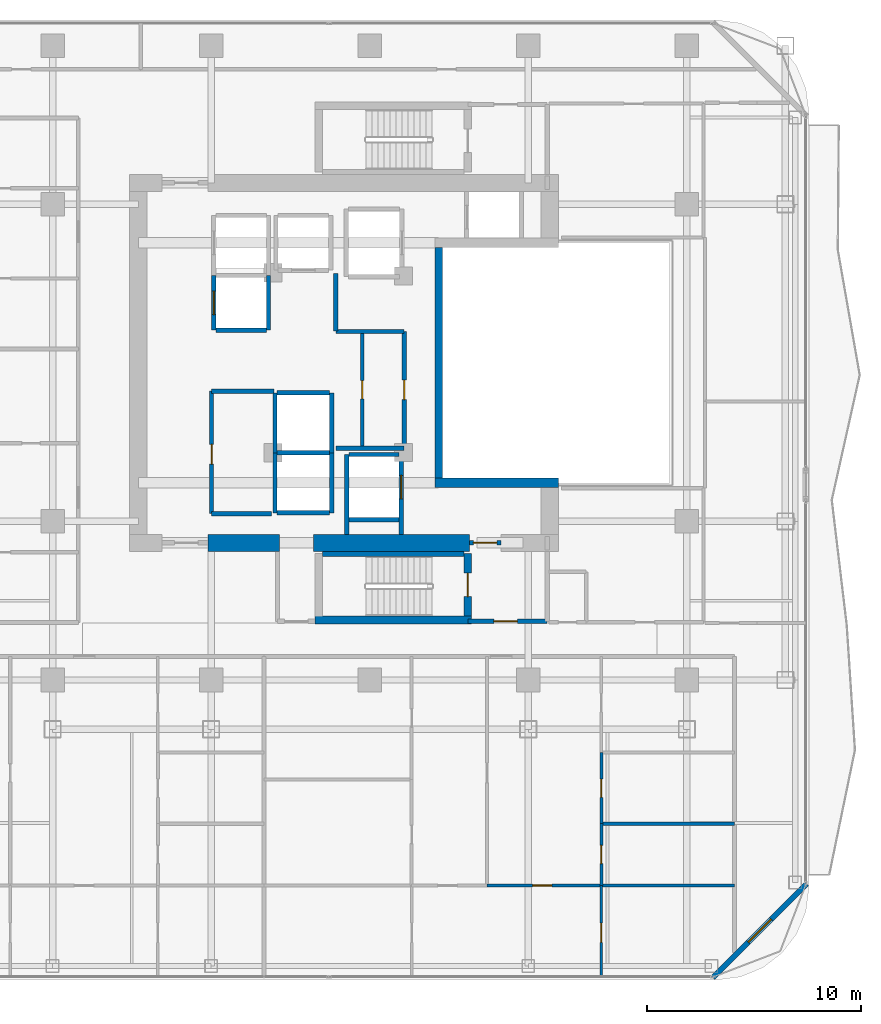
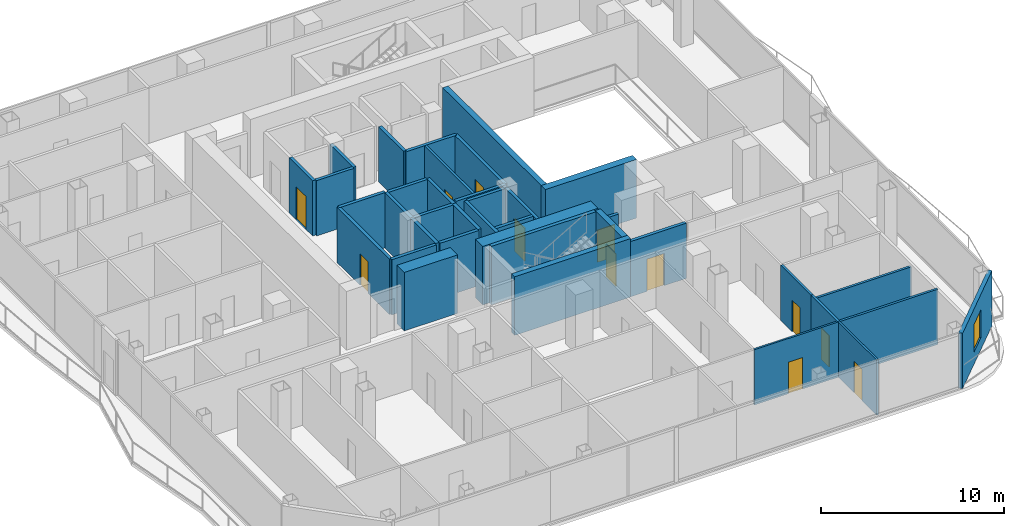
# One storey, part 18 of 23: 38 walls, 12 doors, 1 window, 13 openings.
"""IFC4 building model written with IfcOpenShell, lengths in metres."""

from ifc_helpers import new_model, si_unit, direction, frame, frame_2d, origin, place, context, subcontext, project, spatial, rectangle, extrude, material, layer, layer_set, type_object, element, fill, save


model = new_model("IFC4")

# Units and contexts
model_context = context("Model", 3, precision=1e-05, world=origin(), true_north=direction((0.0, 1.0)))
body_context = subcontext(model_context, "Body", "Model", "MODEL_VIEW")
ifc_project = project(units=[si_unit("LENGTHUNIT", "METRE"), si_unit("AREAUNIT", "SQUARE_METRE"), si_unit("VOLUMEUNIT", "CUBIC_METRE"), si_unit("PLANEANGLEUNIT", "RADIAN"), si_unit("MASSUNIT", "GRAM", prefix="KILO")], contexts=[model_context])

# Site, building, storey
site_placement = place(None, origin())
site = spatial("IfcSite", under=ifc_project, at=site_placement, CompositionType="ELEMENT")
building_placement = place(site_placement, origin())
building = spatial("IfcBuilding", under=site, at=building_placement, Name="Khorvyn Point Tower", CompositionType="ELEMENT")
storey_placement = place(building_placement, frame((0.0, 0.0, 199.199951171875)))
storey = spatial("IfcBuildingStorey", under=building, at=storey_placement, Name="L49", CompositionType="ELEMENT", Elevation=199.199951171875)

# Wall, opening, window
ifc_material_1 = material(Name="Pale anodised aluminium rainscreen on steel stud", Category="steel")
ifc_layer_1 = layer(ifc_material_1, 0.239990234375)
ifc_layer_set_1 = layer_set([ifc_layer_1], Name="Anodised Aluminium Insulated Corner Spandrel Wall 240")
wall_type_1 = type_object("IfcWallType", Name="Anodised Aluminium Insulated Corner Spandrel Wall 240", PredefinedType="SOLIDWALL", material=ifc_layer_set_1)
wall_1_placement = place(storey_placement, frame((20.392333984375, -24.3076171875, 0.0), z_axis=(0.0, 0.0, 1.0), x_axis=(-0.707106781187, -0.707106781187, 0.0)))
wall_1 = element("IfcWall", 1, at=wall_1_placement, inside=storey, type_object=wall_type_1, Name="L49 Rounded Corner Wall SE", PredefinedType="SOLIDWALL", context=body_context, shape_type="SweptSolid", body=[
    extrude(rectangle(XDim=6.200927734375, YDim=0.239990234375, at=frame_2d((3.1005859375, 0.0))), origin(), (0.0, 0.0, 1.0), 3.679931640625),
])
opening_1_placement = place(wall_1_placement, frame((2.3505859375, 0.0, 0.800048828125)))
opening_1 = element("IfcOpeningElement", 2, at=opening_1_placement, cuts=wall_1, Name="Opening WN-1518", PredefinedType="OPENING", context=body_context, shape_type="SweptSolid", body=[
    extrude(rectangle(XDim=1.5, YDim=1.85009765625, at=frame_2d((0.75, 0.925048828125))), frame((0.0, 0.1298828125, 0.0), z_axis=(0.0, -1.0, 0.0), x_axis=(1.0, 0.0, 0.0)), (0.0, 0.0, 1.0), 0.260009765625),
])
ifc_material_2 = material(Name="Anodised aluminium 6063-T6 and laminated Low-E glass", Category="aluminium")
window_type = type_object("IfcWindowType", Name="Anodised Aluminium Rounded-Corner Panoramic Window 1500x1850", PartitioningType="SINGLE_PANEL", PredefinedType="WINDOW", material=ifc_material_2)
window_placement = place(opening_1_placement, origin())
window = element("IfcWindow", 3, at=window_placement, inside=storey, type_object=window_type, Name="L49 Corner Panoramic Window SE", OverallHeight=1.85009765625, OverallWidth=1.5, PartitioningType="SINGLE_PANEL", PredefinedType="WINDOW", context=body_context, shape_type="SweptSolid", body=[
    extrude(rectangle(XDim=1.5, YDim=1.85009765625, at=frame_2d((0.75, 0.925048828125))), frame((0.0, 0.030029296875, 0.0), z_axis=(0.0, -1.0, 0.0), x_axis=(1.0, 0.0, 0.0)), (0.0, 0.0, 1.0), 0.06005859375),
])
fill(opening_1, window)

# Wall
ifc_material_3 = material(Name="Concrete C40/50", Category="concrete")
ifc_layer_2 = layer(ifc_material_3, 0.449951171875)
ifc_layer_set_2 = layer_set([ifc_layer_2], Name="Concrete C40/50 Core Shear Wall 450")
wall_type_2 = type_object("IfcWallType", Name="Concrete C40/50 Core Shear Wall 450", PredefinedType="SHEAR", material=ifc_layer_set_2)
wall_2_placement = place(storey_placement, frame((3.044921875, -5.60009765625, 0.0), z_axis=(0.0, 0.0, 1.0), x_axis=(1.0, 0.0, 0.0)))
element("IfcWall", 4, at=wall_2_placement, inside=storey, type_object=wall_type_2, Name="Wall", PredefinedType="SHEAR", context=body_context, shape_type="SweptSolid", body=[
    extrude(rectangle(XDim=5.755126953125, YDim=0.449951171875, at=frame_2d((2.87744140625, 0.0))), origin(), (0.0, 0.0, 1.0), 3.900146484375),
])

# Wall, opening, door
ifc_layer_3 = layer(ifc_material_3, 0.199951171875)
ifc_layer_set_3 = layer_set([ifc_layer_3], Name="Concrete C40/50 Fire-Lobby Compartment Wall 200")
wall_type_3 = type_object("IfcWallType", Name="Concrete C40/50 Fire-Lobby Compartment Wall 200", PredefinedType="SOLIDWALL", material=ifc_layer_set_3)
wall_3_placement = place(storey_placement, frame((4.580078125, -12.06005859375, 0.0), z_axis=(0.0, 0.0, 1.0), x_axis=(1.0, 0.0, 0.0)))
wall_3 = element("IfcWall", 5, at=wall_3_placement, inside=storey, type_object=wall_type_3, Name="Wall", PredefinedType="SOLIDWALL", context=body_context, shape_type="SweptSolid", body=[
    extrude(rectangle(XDim=3.699951171875, YDim=0.199951171875, at=frame_2d((1.85009765625, 0.0))), origin(), (0.0, 0.0, 1.0), 3.679931640625),
])
opening_2_placement = place(wall_3_placement, frame((1.21240234375, 0.0, 0.0)))
opening_2 = element("IfcOpeningElement", 6, at=opening_2_placement, cuts=wall_3, Name="Opening ID-FL90", PredefinedType="OPENING", context=body_context, shape_type="SweptSolid", body=[
    extrude(rectangle(XDim=1.10009765625, YDim=2.14990234375, at=frame_2d((0.550048828125, 1.074951171875))), frame((0.0, 0.10986328125, 0.0), z_axis=(0.0, -1.0, 0.0), x_axis=(1.0, 0.0, 0.0)), (0.0, 0.0, 1.0), 0.219970703125),
])
ifc_material_4 = material(Name="Galvanised powder-coated steel", Category="steel")
door_type_1 = type_object("IfcDoorType", Name="Fire-Rated Steel Lobby and Stair Door 1100x2150", OperationType="NOTDEFINED", PredefinedType="DOOR", material=ifc_material_4)
door_1_placement = place(opening_2_placement, origin())
door_1 = element("IfcDoor", 7, at=door_1_placement, inside=storey, type_object=door_type_1, Name="Door", OperationType="SINGLE_SWING_LEFT", OverallHeight=2.14990234375, OverallWidth=1.10009765625, PredefinedType="DOOR", context=body_context, shape_type="SweptSolid", body=[
    extrude(rectangle(XDim=1.10009765625, YDim=2.14990234375, at=frame_2d((0.550048828125, 1.074951171875))), frame((0.0, 0.02490234375, 0.0), z_axis=(0.0, -1.0, 0.0), x_axis=(1.0, 0.0, 0.0)), (0.0, 0.0, 1.0), 0.050048828125),
])
fill(opening_2, door_1)

wall_4_placement = place(storey_placement, frame((4.64990234375, -8.39990234375, 0.0), z_axis=(0.0, 0.0, 1.0), x_axis=(1.0, 0.0, 0.0)))
wall_4 = element("IfcWall", 8, at=wall_4_placement, inside=storey, type_object=wall_type_3, Name="Wall", PredefinedType="SOLIDWALL", context=body_context, shape_type="SweptSolid", body=[
    extrude(rectangle(XDim=1.47021484375, YDim=0.199951171875, at=frame_2d((0.735107421875, 0.0))), origin(), (0.0, 0.0, 1.0), 2.820068359375),
])
opening_3_placement = place(wall_4_placement, frame((0.18505859375, 0.0, 0.0)))
opening_3 = element("IfcOpeningElement", 9, at=opening_3_placement, cuts=wall_4, Name="Opening ID-FL90", PredefinedType="OPENING", context=body_context, shape_type="SweptSolid", body=[
    extrude(rectangle(XDim=1.10009765625, YDim=2.14990234375, at=frame_2d((0.550048828125, 1.074951171875))), frame((0.0, 0.10986328125, 0.0), z_axis=(0.0, -1.0, 0.0), x_axis=(1.0, 0.0, 0.0)), (0.0, 0.0, 1.0), 0.219970703125),
])
door_2_placement = place(opening_3_placement, origin())
door_2 = element("IfcDoor", 10, at=door_2_placement, inside=storey, type_object=door_type_1, Name="Door", OperationType="SINGLE_SWING_RIGHT", OverallHeight=2.14990234375, OverallWidth=1.10009765625, PredefinedType="DOOR", context=body_context, shape_type="SweptSolid", body=[
    extrude(rectangle(XDim=1.10009765625, YDim=2.14990234375, at=frame_2d((0.550048828125, 1.074951171875))), frame((0.0, 0.02490234375, 0.0), z_axis=(0.0, -1.0, 0.0), x_axis=(1.0, 0.0, 0.0)), (0.0, 0.0, 1.0), 0.050048828125),
])
fill(opening_3, door_2)

wall_5_placement = place(storey_placement, frame((1.610107421875, -3.97998046875, 0.0), z_axis=(0.0, 0.0, 1.0), x_axis=(0.0, 1.0, 0.0)))
wall_5 = element("IfcWall", 11, at=wall_5_placement, inside=storey, type_object=wall_type_3, Name="Wall", PredefinedType="SOLIDWALL", context=body_context, shape_type="SweptSolid", body=[
    extrude(rectangle(XDim=5.43994140625, YDim=0.199951171875, at=frame_2d((2.719970703125, 0.0))), origin(), (0.0, 0.0, 1.0), 3.679931640625),
])
opening_4_placement = place(wall_5_placement, frame((2.260009765625, 0.0, 0.0)))
opening_4 = element("IfcOpeningElement", 12, at=opening_4_placement, cuts=wall_5, Name="Opening ID-RS60", PredefinedType="OPENING", context=body_context, shape_type="SweptSolid", body=[
    extrude(rectangle(XDim=0.919921875, YDim=2.10009765625, at=frame_2d((0.4599609375, 1.050048828125))), frame((0.0, 0.10986328125, 0.0), z_axis=(0.0, -1.0, 0.0), x_axis=(1.0, 0.0, 0.0)), (0.0, 0.0, 1.0), 0.219970703125),
])
door_type_2 = type_object("IfcDoorType", Name="Fire-Rated Riser and Store Steel Door 920x2100", OperationType="NOTDEFINED", PredefinedType="DOOR", material=ifc_material_4)
door_3_placement = place(opening_4_placement, origin())
door_3 = element("IfcDoor", 13, at=door_3_placement, inside=storey, type_object=door_type_2, Name="Door", OperationType="SINGLE_SWING_RIGHT", OverallHeight=2.10009765625, OverallWidth=0.919921875, PredefinedType="DOOR", context=body_context, shape_type="SweptSolid", body=[
    extrude(rectangle(XDim=0.919921875, YDim=2.10009765625, at=frame_2d((0.4599609375, 1.050048828125))), frame((0.0, 0.02490234375, 0.0), z_axis=(0.0, -1.0, 0.0), x_axis=(1.0, 0.0, 0.0)), (0.0, 0.0, 1.0), 0.050048828125),
])
fill(opening_4, door_3)

wall_6_placement = place(storey_placement, frame((-7.3798828125, -7.0400390625, 0.0), z_axis=(0.0, 0.0, 1.0), x_axis=(0.0, 1.0, 0.0)))
wall_6 = element("IfcWall", 14, at=wall_6_placement, inside=storey, type_object=wall_type_3, Name="Wall", PredefinedType="SOLIDWALL", context=body_context, shape_type="SweptSolid", body=[
    extrude(rectangle(XDim=5.719970703125, YDim=0.199951171875, at=frame_2d((2.85986328125, 0.0))), origin(), (0.0, 0.0, 1.0), 3.679931640625),
])
opening_5_placement = place(wall_6_placement, frame((2.310302734375, 0.0, 0.0)))
opening_5 = element("IfcOpeningElement", 15, at=opening_5_placement, cuts=wall_6, Name="Opening ID-RS60", PredefinedType="OPENING", context=body_context, shape_type="SweptSolid", body=[
    extrude(rectangle(XDim=0.919921875, YDim=2.10009765625, at=frame_2d((0.4599609375, 1.050048828125))), frame((0.0, 0.10986328125, 0.0), z_axis=(0.0, -1.0, 0.0), x_axis=(1.0, 0.0, 0.0)), (0.0, 0.0, 1.0), 0.219970703125),
])
door_4_placement = place(opening_5_placement, origin())
door_4 = element("IfcDoor", 16, at=door_4_placement, inside=storey, type_object=door_type_2, Name="Door", OperationType="SINGLE_SWING_LEFT", OverallHeight=2.10009765625, OverallWidth=0.919921875, PredefinedType="DOOR", context=body_context, shape_type="SweptSolid", body=[
    extrude(rectangle(XDim=0.919921875, YDim=2.10009765625, at=frame_2d((0.4599609375, 1.050048828125))), frame((0.0, 0.02490234375, 0.0), z_axis=(0.0, -1.0, 0.0), x_axis=(1.0, 0.0, 0.0)), (0.0, 0.0, 1.0), 0.050048828125),
])
fill(opening_5, door_4)

# Walls
wall_7_placement = place(storey_placement, frame((-7.3798828125, -1.320068359375, 0.0), z_axis=(0.0, 0.0, 1.0), x_axis=(1.0, 0.0, 0.0)))
element("IfcWall", 17, at=wall_7_placement, inside=storey, type_object=wall_type_3, Name="Wall", PredefinedType="SOLIDWALL", context=body_context, shape_type="SweptSolid", body=[
    extrude(rectangle(XDim=2.909912109375, YDim=0.199951171875, at=frame_2d((1.455078125, 0.0))), origin(), (0.0, 0.0, 1.0), 3.679931640625),
])
wall_8_placement = place(storey_placement, frame((-1.580078125, 1.47998046875, 0.0), z_axis=(0.0, 0.0, 1.0), x_axis=(0.0, 1.0, 0.0)))
element("IfcWall", 18, at=wall_8_placement, inside=storey, type_object=wall_type_3, Name="Wall", PredefinedType="SOLIDWALL", context=body_context, shape_type="SweptSolid", body=[
    extrude(rectangle(XDim=2.699951171875, YDim=0.199951171875, at=frame_2d((1.35009765625, 0.0))), origin(), (0.0, 0.0, 1.0), 3.679931640625),
])
for number, where, z_axis, x_axis, name in (
    (19, (-1.580078125, -3.97998046875, 0.0), (0.0, 0.0, 1.0), (1.0, 0.0, 0.0), "Wall"),
    (20, (-1.580078125, 1.4599609375, 0.0), (0.0, 0.0, 1.0), (1.0, 0.0, 0.0), "Wall"),
):
    element("IfcWall", number, at=place(storey_placement, frame(where, z_axis=z_axis, x_axis=x_axis)), inside=storey, type_object=wall_type_3, Name=name, PredefinedType="SOLIDWALL", context=body_context, shape_type="SweptSolid", body=[
        extrude(rectangle(XDim=3.190185546875, YDim=0.199951171875, at=frame_2d((1.59521484375, 0.0))), origin(), (0.0, 0.0, 1.0), 3.679931640625),
    ])
wall_9_placement = place(storey_placement, frame((-7.3798828125, -7.0400390625, 0.0), z_axis=(0.0, 0.0, 1.0), x_axis=(1.0, 0.0, 0.0)))
element("IfcWall", 21, at=wall_9_placement, inside=storey, type_object=wall_type_3, Name="Wall", PredefinedType="SOLIDWALL", context=body_context, shape_type="SweptSolid", body=[
    extrude(rectangle(XDim=2.7998046875, YDim=0.199951171875, at=frame_2d((1.39990234375, 0.0))), origin(), (0.0, 0.0, 1.0), 3.679931640625),
])
ifc_layer_4 = layer(ifc_material_3, 0.25)
ifc_layer_set_4 = layer_set([ifc_layer_4], Name="Concrete C40/50 Stair Inner Cheek Structural Wall 250")
wall_type_4 = type_object("IfcWallType", Name="Concrete C40/50 Stair Inner Cheek Structural Wall 250", PredefinedType="SHEAR", material=ifc_layer_set_4)
wall_10_placement = place(storey_placement, frame((-2.199951171875, -8.91259765625, 0.0), z_axis=(0.0, 0.0, 1.0), x_axis=(1.0, 0.0, 0.0)))
element("IfcWall", 22, at=wall_10_placement, inside=storey, type_object=wall_type_4, Name="Wall", PredefinedType="SHEAR", context=body_context, shape_type="SweptSolid", body=[
    extrude(rectangle(XDim=6.599853515625, YDim=0.22509765625, at=frame_2d((3.2998046875, 0.0))), origin(), (0.0, 0.0, 1.0), 3.900146484375),
])
ifc_layer_5 = layer(ifc_material_3, 0.35009765625)
ifc_layer_set_5 = layer_set([ifc_layer_5], Name="Concrete C40/50 Stair Shaft Structural Wall 350")
wall_type_5 = type_object("IfcWallType", Name="Concrete C40/50 Stair Shaft Structural Wall 350", PredefinedType="SHEAR", material=ifc_layer_set_5)
wall_11_placement = place(storey_placement, frame((3.219970703125, -5.375, 0.0), z_axis=(0.0, 0.0, 1.0), x_axis=(0.0, 1.0, 0.0)))
element("IfcWall", 23, at=wall_11_placement, inside=storey, type_object=wall_type_5, Name="Wall", PredefinedType="SHEAR", context=body_context, shape_type="SweptSolid", body=[
    extrude(rectangle(XDim=10.75, YDim=0.35009765625, at=frame_2d((5.375, 0.0))), origin(), (0.0, 0.0, 1.0), 3.900146484375),
])
wall_12_placement = place(storey_placement, frame((-2.554931640625, -12.0, 0.0), z_axis=(0.0, 0.0, 1.0), x_axis=(1.0, 0.0, 0.0)))
element("IfcWall", 24, at=wall_12_placement, inside=storey, type_object=wall_type_5, Name="L49 ST-01 South Shaft Wall", PredefinedType="SHEAR", context=body_context, shape_type="SweptSolid", body=[
    extrude(rectangle(XDim=7.309814453125, YDim=0.35009765625, at=frame_2d((3.65478515625, 0.0))), origin(), (0.0, 0.0, 1.0), 3.900146484375),
])

# Wall, opening, door
wall_13_placement = place(storey_placement, frame((4.580078125, -8.89990234375, 0.0), z_axis=(0.0, 0.0, 1.0), x_axis=(0.0, -1.0, 0.0)))
wall_13 = element("IfcWall", 25, at=wall_13_placement, inside=storey, type_object=wall_type_5, Name="L49 ST-01 East Landing Door Wall", PredefinedType="SHEAR", context=body_context, shape_type="SweptSolid", body=[
    extrude(rectangle(XDim=2.925048828125, YDim=0.35009765625, at=frame_2d((1.46240234375, 0.0))), origin(), (0.0, 0.0, 1.0), 3.900146484375),
])
opening_6_placement = place(wall_13_placement, frame((0.91259765625, 0.0, 0.0)))
opening_6 = element("IfcOpeningElement", 26, at=opening_6_placement, cuts=wall_13, Name="Opening ID-FL90", PredefinedType="OPENING", context=body_context, shape_type="SweptSolid", body=[
    extrude(rectangle(XDim=1.10009765625, YDim=2.14990234375, at=frame_2d((0.550048828125, 1.074951171875))), frame((0.0, 0.18505859375, 0.0), z_axis=(0.0, -1.0, 0.0), x_axis=(1.0, 0.0, 0.0)), (0.0, 0.0, 1.0), 0.3701171875),
])
door_5_placement = place(opening_6_placement, origin())
door_5 = element("IfcDoor", 27, at=door_5_placement, inside=storey, type_object=door_type_1, Name="L49 ST-01 Smokeproof Landing Door", OperationType="SINGLE_SWING_LEFT", OverallHeight=2.14990234375, OverallWidth=1.10009765625, PredefinedType="DOOR", context=body_context, shape_type="SweptSolid", body=[
    extrude(rectangle(XDim=1.10009765625, YDim=2.14990234375, at=frame_2d((0.550048828125, 1.074951171875))), frame((0.0, 0.02490234375, 0.0), z_axis=(0.0, -1.0, 0.0), x_axis=(1.0, 0.0, 0.0)), (0.0, 0.0, 1.0), 0.050048828125),
])
fill(opening_6, door_5)

ifc_layer_6 = layer(ifc_material_3, 0.199951171875)
ifc_layer_set_6 = layer_set([ifc_layer_6], Name="Concrete C40/50 Structural Hoistway and Stair Shaft Wall 200")
wall_type_6 = type_object("IfcWallType", Name="Concrete C40/50 Structural Hoistway and Stair Shaft Wall 200", PredefinedType="SHEAR", material=ifc_layer_set_6)
wall_14_placement = place(storey_placement, frame((-7.27490234375, 1.52490234375, 0.0), z_axis=(0.0, 0.0, 1.0), x_axis=(0.0, 1.0, 0.0)))
wall_14 = element("IfcWall", 28, at=wall_14_placement, inside=storey, type_object=wall_type_6, Name="Wall", PredefinedType="SHEAR", context=body_context, shape_type="SweptSolid", body=[
    extrude(rectangle(XDim=2.550048828125, YDim=0.199951171875, at=frame_2d((1.27490234375, 0.0))), origin(), (0.0, 0.0, 1.0), 3.679931640625),
])
opening_7_placement = place(wall_14_placement, frame((0.72509765625, 0.0, 0.0)))
opening_7 = element("IfcOpeningElement", 29, at=opening_7_placement, cuts=wall_14, Name="Opening LD-1122", PredefinedType="OPENING", context=body_context, shape_type="SweptSolid", body=[
    extrude(rectangle(XDim=1.10009765625, YDim=2.199951171875, at=frame_2d((0.550048828125, 1.10009765625))), frame((0.0, 0.10986328125, 0.0), z_axis=(0.0, -1.0, 0.0), x_axis=(1.0, 0.0, 0.0)), (0.0, 0.0, 1.0), 0.219970703125),
])
ifc_material_5 = material(Name="Stainless steel 1.4301", Category="steel")
door_type_3 = type_object("IfcDoorType", Name="Stainless Steel Automatic Sliding Lift Landing Door 1100x2200", OperationType="SLIDING_TO_LEFT", PredefinedType="DOOR", material=ifc_material_5)
door_6_placement = place(opening_7_placement, origin())
door_6 = element("IfcDoor", 30, at=door_6_placement, inside=storey, type_object=door_type_3, Name="L49 RM-01 Sliding Lift Landing Door", OperationType="SLIDING_TO_LEFT", OverallHeight=2.199951171875, OverallWidth=1.10009765625, PredefinedType="DOOR", context=body_context, shape_type="SweptSolid", body=[
    extrude(rectangle(XDim=1.10009765625, YDim=2.199951171875, at=frame_2d((0.550048828125, 1.10009765625))), frame((0.0, 0.02490234375, 0.0), z_axis=(0.0, -1.0, 0.0), x_axis=(1.0, 0.0, 0.0)), (0.0, 0.0, 1.0), 0.050048828125),
])
fill(opening_7, door_6)

# Walls
wall_15_placement = place(storey_placement, frame((-4.72509765625, 1.52490234375, 0.0), z_axis=(0.0, 0.0, 1.0), x_axis=(0.0, 1.0, 0.0)))
element("IfcWall", 31, at=wall_15_placement, inside=storey, type_object=wall_type_6, Name="Wall", PredefinedType="SHEAR", context=body_context, shape_type="SweptSolid", body=[
    extrude(rectangle(XDim=2.550048828125, YDim=0.199951171875, at=frame_2d((1.27490234375, 0.0))), origin(), (0.0, 0.0, 1.0), 3.679931640625),
])
wall_16_placement = place(storey_placement, frame((-7.175048828125, 1.52490234375, 0.0), z_axis=(0.0, 0.0, 1.0), x_axis=(1.0, 0.0, 0.0)))
element("IfcWall", 32, at=wall_16_placement, inside=storey, type_object=wall_type_6, Name="Wall", PredefinedType="SHEAR", context=body_context, shape_type="SweptSolid", body=[
    extrude(rectangle(XDim=2.35009765625, YDim=0.199951171875, at=frame_2d((1.175048828125, 0.0))), origin(), (0.0, 0.0, 1.0), 3.679931640625),
])
for number, where, z_axis, x_axis, name in (
    (33, (-4.425048828125, -7.0, 0.0), (0.0, 0.0, 1.0), (0.0, 1.0, 0.0), "Wall"),
    (34, (-1.77490234375, -7.0, 0.0), (0.0, 0.0, 1.0), (0.0, 1.0, 0.0), "Wall"),
):
    element("IfcWall", number, at=place(storey_placement, frame(where, z_axis=z_axis, x_axis=x_axis)), inside=storey, type_object=wall_type_6, Name=name, PredefinedType="SHEAR", context=body_context, shape_type="SweptSolid", body=[
        extrude(rectangle(XDim=2.800048828125, YDim=0.199951171875, at=frame_2d((1.39990234375, 0.0))), origin(), (0.0, 0.0, 1.0), 3.679931640625),
    ])
for number, where, z_axis, x_axis, name in (
    (35, (-4.324951171875, -7.0, 0.0), (0.0, 0.0, 1.0), (1.0, 0.0, 0.0), "Wall"),
    (36, (-4.324951171875, -4.199951171875, 0.0), (0.0, 0.0, 1.0), (1.0, 0.0, 0.0), "Wall"),
):
    element("IfcWall", number, at=place(storey_placement, frame(where, z_axis=z_axis, x_axis=x_axis)), inside=storey, type_object=wall_type_6, Name=name, PredefinedType="SHEAR", context=body_context, shape_type="SweptSolid", body=[
        extrude(rectangle(XDim=2.449951171875, YDim=0.199951171875, at=frame_2d((1.22509765625, 0.0))), origin(), (0.0, 0.0, 1.0), 3.679931640625),
    ])
for number, where, z_axis, x_axis, name in (
    (37, (-4.425048828125, -4.199951171875, 0.0), (0.0, 0.0, 1.0), (0.0, 1.0, 0.0), "Wall"),
    (38, (-1.77490234375, -4.199951171875, 0.0), (0.0, 0.0, 1.0), (0.0, 1.0, 0.0), "Wall"),
):
    element("IfcWall", number, at=place(storey_placement, frame(where, z_axis=z_axis, x_axis=x_axis)), inside=storey, type_object=wall_type_6, Name=name, PredefinedType="SHEAR", context=body_context, shape_type="SweptSolid", body=[
        extrude(rectangle(XDim=2.800048828125, YDim=0.199951171875, at=frame_2d((1.39990234375, 0.0))), origin(), (0.0, 0.0, 1.0), 3.679931640625),
    ])
wall_17_placement = place(storey_placement, frame((-4.324951171875, -1.39990234375, 0.0), z_axis=(0.0, 0.0, 1.0), x_axis=(1.0, 0.0, 0.0)))
element("IfcWall", 39, at=wall_17_placement, inside=storey, type_object=wall_type_6, Name="Wall", PredefinedType="SHEAR", context=body_context, shape_type="SweptSolid", body=[
    extrude(rectangle(XDim=2.449951171875, YDim=0.199951171875, at=frame_2d((1.22509765625, 0.0))), origin(), (0.0, 0.0, 1.0), 3.679931640625),
])
wall_18_placement = place(storey_placement, frame((-1.074951171875, -8.0, 0.0), z_axis=(0.0, 0.0, 1.0), x_axis=(0.0, 1.0, 0.0)))
element("IfcWall", 40, at=wall_18_placement, inside=storey, type_object=wall_type_6, Name="Wall", PredefinedType="SHEAR", context=body_context, shape_type="SweptSolid", body=[
    extrude(rectangle(XDim=3.72509765625, YDim=0.199951171875, at=frame_2d((1.862548828125, 0.0))), origin(), (0.0, 0.0, 1.0), 3.679931640625),
])

# Wall, opening, door
wall_19_placement = place(storey_placement, frame((1.47509765625, -8.0, 0.0), z_axis=(0.0, 0.0, 1.0), x_axis=(0.0, 1.0, 0.0)))
wall_19 = element("IfcWall", 41, at=wall_19_placement, inside=storey, type_object=wall_type_6, Name="Wall", PredefinedType="SHEAR", context=body_context, shape_type="SweptSolid", body=[
    extrude(rectangle(XDim=3.72509765625, YDim=0.199951171875, at=frame_2d((1.862548828125, 0.0))), origin(), (0.0, 0.0, 1.0), 3.679931640625),
])
opening_8_placement = place(wall_19_placement, frame((1.64990234375, 0.0, 0.0)))
opening_8 = element("IfcOpeningElement", 42, at=opening_8_placement, cuts=wall_19, Name="Opening LD-1122", PredefinedType="OPENING", context=body_context, shape_type="SweptSolid", body=[
    extrude(rectangle(XDim=1.10009765625, YDim=2.199951171875, at=frame_2d((0.550048828125, 1.10009765625))), frame((0.0, 0.10986328125, 0.0), z_axis=(0.0, -1.0, 0.0), x_axis=(1.0, 0.0, 0.0)), (0.0, 0.0, 1.0), 0.219970703125),
])
door_7_placement = place(opening_8_placement, origin())
door_7 = element("IfcDoor", 43, at=door_7_placement, inside=storey, type_object=door_type_3, Name="L49 FF-01 Sliding Lift Landing Door", OperationType="SLIDING_TO_LEFT", OverallHeight=2.199951171875, OverallWidth=1.10009765625, PredefinedType="DOOR", context=body_context, shape_type="SweptSolid", body=[
    extrude(rectangle(XDim=1.10009765625, YDim=2.199951171875, at=frame_2d((0.550048828125, 1.10009765625))), frame((0.0, 0.02490234375, 0.0), z_axis=(0.0, -1.0, 0.0), x_axis=(1.0, 0.0, 0.0)), (0.0, 0.0, 1.0), 0.050048828125),
])
fill(opening_8, door_7)

# Walls
for number, where, z_axis, x_axis, name in (
    (44, (-0.97509765625, -7.324951171875, 0.0), (0.0, 0.0, 1.0), (1.0, 0.0, 0.0), "Wall"),
    (45, (-0.97509765625, -4.27490234375, 0.0), (0.0, 0.0, 1.0), (1.0, 0.0, 0.0), "Wall"),
):
    element("IfcWall", number, at=place(storey_placement, frame(where, z_axis=z_axis, x_axis=x_axis)), inside=storey, type_object=wall_type_6, Name=name, PredefinedType="SHEAR", context=body_context, shape_type="SweptSolid", body=[
        extrude(rectangle(XDim=2.35009765625, YDim=0.199951171875, at=frame_2d((1.175048828125, 0.0))), origin(), (0.0, 0.0, 1.0), 3.679931640625),
    ])
ifc_material_6 = material(Name="Concrete C45/55", Category="concrete")
ifc_layer_7 = layer(ifc_material_6, 0.800048828125)
ifc_layer_set_7 = layer_set([ifc_layer_7], Name="Concrete C45/55 Core Shear Wall 800")
wall_type_7 = type_object("IfcWallType", Name="Concrete C45/55 Core Shear Wall 800", PredefinedType="SHEAR", material=ifc_layer_set_7)
wall_20_placement = place(storey_placement, frame((-7.550048828125, -8.39990234375, 0.0), z_axis=(0.0, 0.0, 1.0), x_axis=(1.0, 0.0, 0.0)))
element("IfcWall", 46, at=wall_20_placement, inside=storey, type_object=wall_type_7, Name="Wall", PredefinedType="SHEAR", context=body_context, shape_type="SweptSolid", body=[
    extrude(rectangle(XDim=3.35009765625, YDim=0.800048828125, at=frame_2d((1.675048828125, 0.0))), origin(), (0.0, 0.0, 1.0), 3.900146484375),
])
wall_21_placement = place(storey_placement, frame((-2.6201171875, -8.39990234375, 0.0), z_axis=(0.0, 0.0, 1.0), x_axis=(1.0, 0.0, 0.0)))
element("IfcWall", 47, at=wall_21_placement, inside=storey, type_object=wall_type_7, Name="Wall", PredefinedType="SHEAR", context=body_context, shape_type="SweptSolid", body=[
    extrude(rectangle(XDim=7.27001953125, YDim=0.800048828125, at=frame_2d((3.635009765625, 0.0))), origin(), (0.0, 0.0, 1.0), 3.900146484375),
])

# Wall, opening, door
ifc_material_7 = material(Name="Gypsum plasterboard on steel stud", Category="steel")
ifc_layer_8 = layer(ifc_material_7, 0.1201171875)
ifc_layer_set_8 = layer_set([ifc_layer_8], Name="Gypsum Acoustic Stud Room Partition Wall 120")
wall_type_8 = type_object("IfcWallType", Name="Gypsum Acoustic Stud Room Partition Wall 120", PredefinedType="PARTITIONING", material=ifc_layer_set_8)
wall_22_placement = place(storey_placement, frame((5.471923828125, -24.389892578125, 0.0), z_axis=(0.0, 0.0, 1.0), x_axis=(1.0, 0.0, 0.0)))
wall_22 = element("IfcWall", 48, at=wall_22_placement, inside=storey, type_object=wall_type_8, Name="Wall", PredefinedType="PARTITIONING", context=body_context, shape_type="SweptSolid", body=[
    extrude(rectangle(XDim=5.342041015625, YDim=0.1201171875, at=frame_2d((2.6708984375, 0.0))), origin(), (0.0, 0.0, 1.0), 3.679931640625),
])
opening_9_placement = place(wall_22_placement, frame((2.13134765625, 0.0, 0.0)))
opening_9 = element("IfcOpeningElement", 49, at=opening_9_placement, cuts=wall_22, Name="Opening ID-RM90", PredefinedType="OPENING", context=body_context, shape_type="SweptSolid", body=[
    extrude(rectangle(XDim=0.89990234375, YDim=2.10009765625, at=frame_2d((0.449951171875, 1.050048828125))), frame((0.0, 0.070068359375, 0.0), z_axis=(0.0, -1.0, 0.0), x_axis=(1.0, 0.0, 0.0)), (0.0, 0.0, 1.0), 0.14013671875),
])
ifc_material_8 = material(Name="Engineered oak veneer timber", Category="wood")
door_type_4 = type_object("IfcDoorType", Name="Flush Engineered Timber Room Door 900x2100", OperationType="NOTDEFINED", PredefinedType="DOOR", material=ifc_material_8)
door_8_placement = place(opening_9_placement, origin())
door_8 = element("IfcDoor", 50, at=door_8_placement, inside=storey, type_object=door_type_4, Name="Door", OperationType="SINGLE_SWING_LEFT", OverallHeight=2.10009765625, OverallWidth=0.89990234375, PredefinedType="DOOR", context=body_context, shape_type="SweptSolid", body=[
    extrude(rectangle(XDim=0.89990234375, YDim=2.10009765625, at=frame_2d((0.449951171875, 1.050048828125))), frame((0.0, 0.02490234375, 0.0), z_axis=(0.0, -1.0, 0.0), x_axis=(1.0, 0.0, 0.0)), (0.0, 0.0, 1.0), 0.050048828125),
])
fill(opening_9, door_8)

wall_23_placement = place(storey_placement, frame((10.81396484375, -28.6298828125, 0.0), z_axis=(0.0, 0.0, 1.0), x_axis=(0.0, 1.0, 0.0)))
wall_23 = element("IfcWall", 51, at=wall_23_placement, inside=storey, type_object=wall_type_8, Name="Wall", PredefinedType="PARTITIONING", context=body_context, shape_type="SweptSolid", body=[
    extrude(rectangle(XDim=4.239990234375, YDim=0.1201171875, at=frame_2d((2.1201171875, 0.0))), origin(), (0.0, 0.0, 1.0), 3.679931640625),
])
opening_10_placement = place(wall_23_placement, frame((1.581298828125, 0.0, 0.0)))
opening_10 = element("IfcOpeningElement", 52, at=opening_10_placement, cuts=wall_23, Name="Opening ID-RM90", PredefinedType="OPENING", context=body_context, shape_type="SweptSolid", body=[
    extrude(rectangle(XDim=0.89990234375, YDim=2.10009765625, at=frame_2d((0.449951171875, 1.050048828125))), frame((0.0, 0.070068359375, 0.0), z_axis=(0.0, -1.0, 0.0), x_axis=(1.0, 0.0, 0.0)), (0.0, 0.0, 1.0), 0.14013671875),
])
door_9_placement = place(opening_10_placement, origin())
door_9 = element("IfcDoor", 53, at=door_9_placement, inside=storey, type_object=door_type_4, Name="Door", OperationType="SINGLE_SWING_LEFT", OverallHeight=2.10009765625, OverallWidth=0.89990234375, PredefinedType="DOOR", context=body_context, shape_type="SweptSolid", body=[
    extrude(rectangle(XDim=0.89990234375, YDim=2.10009765625, at=frame_2d((0.449951171875, 1.050048828125))), frame((0.0, 0.02490234375, 0.0), z_axis=(0.0, -1.0, 0.0), x_axis=(1.0, 0.0, 0.0)), (0.0, 0.0, 1.0), 0.050048828125),
])
fill(opening_10, door_9)

ifc_material_9 = material(Name="Moisture-resistant gypsum and cement board", Category="gypsum")
ifc_layer_9 = layer(ifc_material_9, 0.14990234375)
ifc_layer_set_9 = layer_set([ifc_layer_9], Name="Moisture-Resistant Wet-Room Partition Wall 150")
wall_type_9 = type_object("IfcWallType", Name="Moisture-Resistant Wet-Room Partition Wall 150", PredefinedType="PARTITIONING", material=ifc_layer_set_9)
wall_24_placement = place(storey_placement, frame((-0.35009765625, -3.97998046875, 0.0), z_axis=(0.0, 0.0, 1.0), x_axis=(0.0, 1.0, 0.0)))
wall_24 = element("IfcWall", 54, at=wall_24_placement, inside=storey, type_object=wall_type_9, Name="Wall", PredefinedType="PARTITIONING", context=body_context, shape_type="SweptSolid", body=[
    extrude(rectangle(XDim=5.43994140625, YDim=0.14990234375, at=frame_2d((2.719970703125, 0.0))), origin(), (0.0, 0.0, 1.0), 3.679931640625),
])
opening_11_placement = place(wall_24_placement, frame((2.294921875, 0.0, 0.0)))
opening_11 = element("IfcOpeningElement", 55, at=opening_11_placement, cuts=wall_24, Name="Opening ID-WC85", PredefinedType="OPENING", context=body_context, shape_type="SweptSolid", body=[
    extrude(rectangle(XDim=0.85009765625, YDim=2.10009765625, at=frame_2d((0.425048828125, 1.050048828125))), frame((0.0, 0.0849609375, 0.0), z_axis=(0.0, -1.0, 0.0), x_axis=(1.0, 0.0, 0.0)), (0.0, 0.0, 1.0), 0.169921875),
])
ifc_material_10 = material(Name="High-pressure laminate on moisture-resistant core", Category="wood")
door_type_5 = type_object("IfcDoorType", Name="Moisture-Resistant Accessible Washroom Door 850x2100", OperationType="NOTDEFINED", PredefinedType="DOOR", material=ifc_material_10)
door_10_placement = place(opening_11_placement, origin())
door_10 = element("IfcDoor", 56, at=door_10_placement, inside=storey, type_object=door_type_5, Name="Door", OperationType="SINGLE_SWING_LEFT", OverallHeight=2.10009765625, OverallWidth=0.85009765625, PredefinedType="DOOR", context=body_context, shape_type="SweptSolid", body=[
    extrude(rectangle(XDim=0.85009765625, YDim=2.10009765625, at=frame_2d((0.425048828125, 1.050048828125))), frame((0.0, 0.02490234375, 0.0), z_axis=(0.0, -1.0, 0.0), x_axis=(1.0, 0.0, 0.0)), (0.0, 0.0, 1.0), 0.050048828125),
])
fill(opening_11, door_10)

wall_25_placement = place(storey_placement, frame((10.81396484375, -24.389892578125, 0.0), z_axis=(0.0, 0.0, 1.0), x_axis=(0.0, 1.0, 0.0)))
wall_25 = element("IfcWall", 57, at=wall_25_placement, inside=storey, type_object=wall_type_9, Name="Wall", PredefinedType="PARTITIONING", context=body_context, shape_type="SweptSolid", body=[
    extrude(rectangle(XDim=2.885986328125, YDim=0.14990234375, at=frame_2d((1.44287109375, 0.0))), origin(), (0.0, 0.0, 1.0), 3.679931640625),
])
opening_12_placement = place(wall_25_placement, frame((1.01806640625, 0.0, 0.0)))
opening_12 = element("IfcOpeningElement", 58, at=opening_12_placement, cuts=wall_25, Name="Opening ID-WC85", PredefinedType="OPENING", context=body_context, shape_type="SweptSolid", body=[
    extrude(rectangle(XDim=0.85009765625, YDim=2.10009765625, at=frame_2d((0.425048828125, 1.050048828125))), frame((0.0, 0.0849609375, 0.0), z_axis=(0.0, -1.0, 0.0), x_axis=(1.0, 0.0, 0.0)), (0.0, 0.0, 1.0), 0.169921875),
])
door_11_placement = place(opening_12_placement, origin())
door_11 = element("IfcDoor", 59, at=door_11_placement, inside=storey, type_object=door_type_5, Name="Door", OperationType="SINGLE_SWING_RIGHT", OverallHeight=2.10009765625, OverallWidth=0.85009765625, PredefinedType="DOOR", context=body_context, shape_type="SweptSolid", body=[
    extrude(rectangle(XDim=0.85009765625, YDim=2.10009765625, at=frame_2d((0.425048828125, 1.050048828125))), frame((0.0, 0.02490234375, 0.0), z_axis=(0.0, -1.0, 0.0), x_axis=(1.0, 0.0, 0.0)), (0.0, 0.0, 1.0), 0.050048828125),
])
fill(opening_12, door_11)

wall_26_placement = place(storey_placement, frame((10.81396484375, -21.50390625, 0.0), z_axis=(0.0, 0.0, 1.0), x_axis=(0.0, 1.0, 0.0)))
wall_26 = element("IfcWall", 60, at=wall_26_placement, inside=storey, type_object=wall_type_9, Name="Wall", PredefinedType="PARTITIONING", context=body_context, shape_type="SweptSolid", body=[
    extrude(rectangle(XDim=3.31396484375, YDim=0.14990234375, at=frame_2d((1.656982421875, 0.0))), origin(), (0.0, 0.0, 1.0), 3.679931640625),
])
opening_13_placement = place(wall_26_placement, frame((1.23193359375, 0.0, 0.0)))
opening_13 = element("IfcOpeningElement", 61, at=opening_13_placement, cuts=wall_26, Name="Opening ID-WC85", PredefinedType="OPENING", context=body_context, shape_type="SweptSolid", body=[
    extrude(rectangle(XDim=0.85009765625, YDim=2.10009765625, at=frame_2d((0.425048828125, 1.050048828125))), frame((0.0, 0.0849609375, 0.0), z_axis=(0.0, -1.0, 0.0), x_axis=(1.0, 0.0, 0.0)), (0.0, 0.0, 1.0), 0.169921875),
])
door_12_placement = place(opening_13_placement, origin())
door_12 = element("IfcDoor", 62, at=door_12_placement, inside=storey, type_object=door_type_5, Name="Door", OperationType="SINGLE_SWING_LEFT", OverallHeight=2.10009765625, OverallWidth=0.85009765625, PredefinedType="DOOR", context=body_context, shape_type="SweptSolid", body=[
    extrude(rectangle(XDim=0.85009765625, YDim=2.10009765625, at=frame_2d((0.425048828125, 1.050048828125))), frame((0.0, 0.02490234375, 0.0), z_axis=(0.0, -1.0, 0.0), x_axis=(1.0, 0.0, 0.0)), (0.0, 0.0, 1.0), 0.050048828125),
])
fill(opening_13, door_12)

# Walls
wall_27_placement = place(storey_placement, frame((10.81396484375, -21.50390625, 0.0), z_axis=(0.0, 0.0, 1.0), x_axis=(1.0, 0.0, 0.0)))
element("IfcWall", 63, at=wall_27_placement, inside=storey, type_object=wall_type_9, Name="Wall", PredefinedType="PARTITIONING", context=body_context, shape_type="SweptSolid", body=[
    extrude(rectangle(XDim=6.2060546875, YDim=0.14990234375, at=frame_2d((3.10302734375, 0.0))), origin(), (0.0, 0.0, 1.0), 3.420166015625),
])
wall_28_placement = place(storey_placement, frame((10.81396484375, -24.389892578125, 0.0), z_axis=(0.0, 0.0, 1.0), x_axis=(1.0, 0.0, 0.0)))
element("IfcWall", 64, at=wall_28_placement, inside=storey, type_object=wall_type_9, Name="Wall", PredefinedType="PARTITIONING", context=body_context, shape_type="SweptSolid", body=[
    extrude(rectangle(XDim=6.2060546875, YDim=0.14990234375, at=frame_2d((3.10302734375, 0.0))), origin(), (0.0, 0.0, 1.0), 3.679931640625),
])

save(model, "model.ifc")
